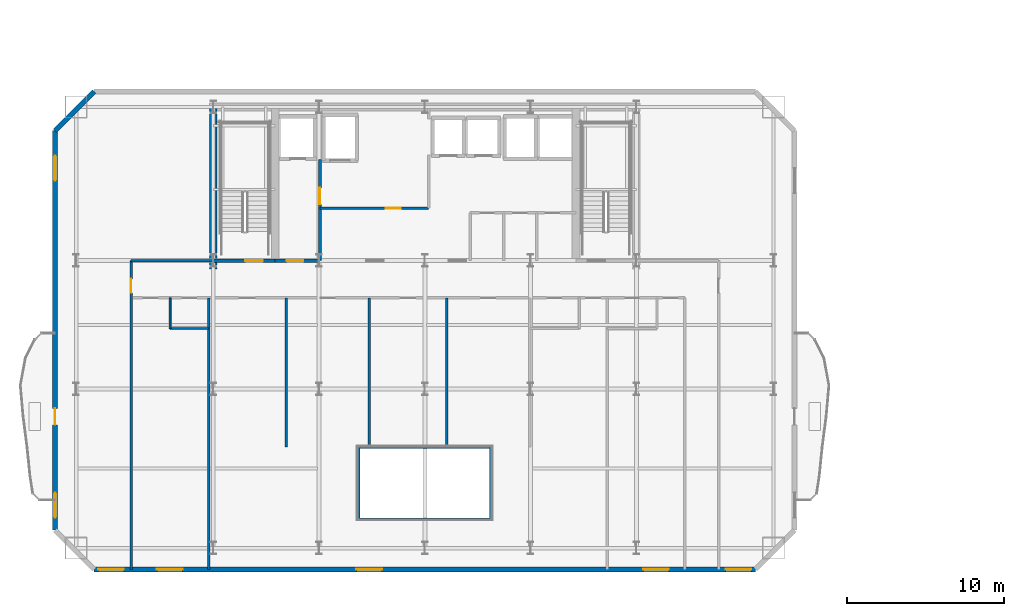
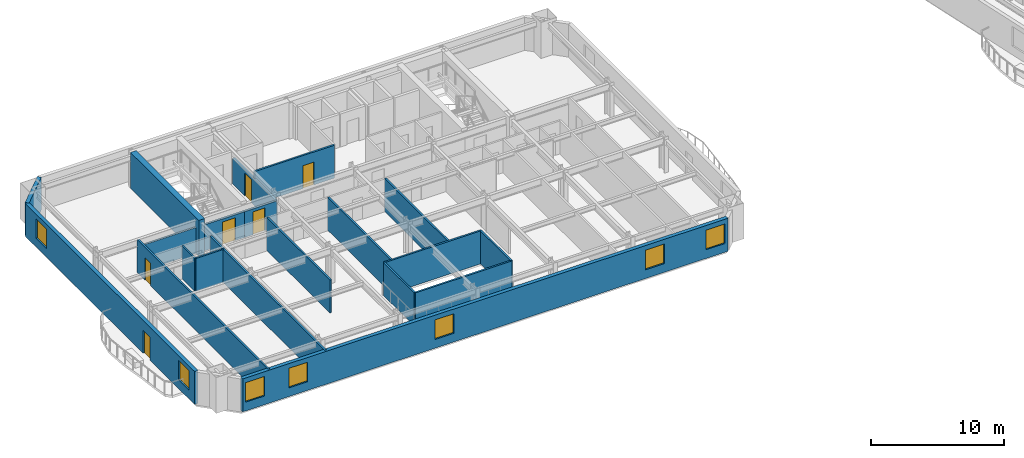
# One storey, part 5 of 14: 20 walls, 7 windows, 6 doors, 13 openings.
"""IFC4 building model written with IfcOpenShell, lengths in metres."""

from ifc_helpers import new_model, si_unit, direction, frame, frame_2d, origin, place, context, subcontext, project, spatial, rectangle, extrude, material, layer, layer_set, type_object, element, fill, save


model = new_model("IFC4")

# Units and contexts
model_context = context("Model", 3, precision=1e-05, world=origin(), true_north=direction((0.0, 1.0)))
body_context = subcontext(model_context, "Body", "Model", "MODEL_VIEW")
ifc_project = project(units=[si_unit("LENGTHUNIT", "METRE"), si_unit("AREAUNIT", "SQUARE_METRE"), si_unit("VOLUMEUNIT", "CUBIC_METRE"), si_unit("PLANEANGLEUNIT", "RADIAN"), si_unit("MASSUNIT", "GRAM", prefix="KILO")], contexts=[model_context])

# Site, building, storey
site_placement = place(None, origin())
site = spatial("IfcSite", under=ifc_project, at=site_placement, CompositionType="ELEMENT")
building_placement = place(site_placement, origin())
building = spatial("IfcBuilding", under=site, at=building_placement, Name="Haevon Station Towers", CompositionType="ELEMENT")
storey_placement = place(building_placement, frame((0.0, 0.0, 106.5)))
storey = spatial("IfcBuildingStorey", under=building, at=storey_placement, Name="L28", CompositionType="ELEMENT", Elevation=106.5)

# Wall, opening, door
ifc_material_1 = material(Name="Gypsum board on steel stud", Category="steel")
ifc_layer_1 = layer(ifc_material_1, 0.199951171875)
ifc_layer_set_1 = layer_set([ifc_layer_1], Name="Gypsum board on steel stud")
wall_type_1 = type_object("IfcWallType", Name="WL-COR200", PredefinedType="PARTITIONING", material=ifc_layer_set_1)
wall_1_placement = place(storey_placement, frame((24.0, 38.199951171875, 0.0), z_axis=(0.0, 0.0, 1.0), x_axis=(1.0, 0.0, 0.0)))
wall_1 = element("IfcWall", 1, at=wall_1_placement, inside=storey, type_object=wall_type_1, Name="WL-ST-ST1-L28", PredefinedType="PARTITIONING", context=body_context, shape_type="SweptSolid", body=[
    extrude(rectangle(XDim=3.949951171875, YDim=0.199951171875, at=frame_2d((1.97509765625, 0.0))), origin(), (0.0, 0.0, 1.0), 2.3798828125),
])
opening_1_placement = place(wall_1_placement, frame((2.050048828125, 0.0, 0.0)))
opening_1 = element("IfcOpeningElement", 2, at=opening_1_placement, cuts=wall_1, Name="Opening DR-ST-ST1-L28", PredefinedType="OPENING", context=body_context, shape_type="SweptSolid", body=[
    extrude(rectangle(XDim=1.1201171875, YDim=2.10009765625, at=frame_2d((0.56005859375, 1.050048828125))), frame((0.0, 0.10986328125, 0.0), z_axis=(0.0, -1.0, 0.0), x_axis=(1.0, 0.0, 0.0)), (0.0, 0.0, 1.0), 0.219970703125),
])
ifc_material_2 = material(Name="Engineered oak timber", Category="wood")
door_type_1 = type_object("IfcDoorType", Name="DR-ST-1120", OperationType="NOTDEFINED", PredefinedType="DOOR", material=ifc_material_2)
door_1_placement = place(opening_1_placement, origin())
door_1 = element("IfcDoor", 3, at=door_1_placement, inside=storey, type_object=door_type_1, Name="L28 Escape Stair ST1 Fire Door", OperationType="SINGLE_SWING_LEFT", OverallHeight=2.10009765625, OverallWidth=1.1201171875, PredefinedType="DOOR", context=body_context, shape_type="SweptSolid", body=[
    extrude(rectangle(XDim=1.1201171875, YDim=2.10009765625, at=frame_2d((0.56005859375, 1.050048828125))), frame((0.0, 0.02490234375, 0.0), z_axis=(0.0, -1.0, 0.0), x_axis=(1.0, 0.0, 0.0)), (0.0, 0.0, 1.0), 0.050048828125),
])
fill(opening_1, door_1)

wall_2_placement = place(storey_placement, frame((30.800048828125, 38.199951171875, 0.0), z_axis=(0.0, 0.0, 1.0), x_axis=(0.0, 1.0, 0.0)))
wall_2 = element("IfcWall", 4, at=wall_2_placement, inside=storey, type_object=wall_type_1, Name="WL-T1FFL-L28-E", PredefinedType="PARTITIONING", context=body_context, shape_type="SweptSolid", body=[
    extrude(rectangle(XDim=6.449951171875, YDim=0.199951171875, at=frame_2d((3.22509765625, 0.0))), origin(), (0.0, 0.0, 1.0), 2.3798828125),
])
opening_2_placement = place(wall_2_placement, frame((3.590087890625, 0.0, 0.0)))
opening_2 = element("IfcOpeningElement", 5, at=opening_2_placement, cuts=wall_2, Name="Opening DR-T1FFL-L28-E", PredefinedType="OPENING", context=body_context, shape_type="SweptSolid", body=[
    extrude(rectangle(XDim=1.050048828125, YDim=2.10009765625, at=frame_2d((0.52490234375, 1.050048828125))), frame((0.0, 0.10986328125, 0.0), z_axis=(0.0, -1.0, 0.0), x_axis=(1.0, 0.0, 0.0)), (0.0, 0.0, 1.0), 0.219970703125),
])
door_type_2 = type_object("IfcDoorType", Name="DR-FD60-1050", OperationType="NOTDEFINED", PredefinedType="DOOR", material=ifc_material_2)
door_2_placement = place(opening_2_placement, origin())
door_2 = element("IfcDoor", 6, at=door_2_placement, inside=storey, type_object=door_type_2, Name="L28 Tower 1 Firefighting Lift Lobby Door E", OperationType="SINGLE_SWING_LEFT", OverallHeight=2.10009765625, OverallWidth=1.050048828125, PredefinedType="DOOR", context=body_context, shape_type="SweptSolid", body=[
    extrude(rectangle(XDim=1.050048828125, YDim=2.10009765625, at=frame_2d((0.52490234375, 1.050048828125))), frame((0.0, 0.02490234375, 0.0), z_axis=(0.0, -1.0, 0.0), x_axis=(1.0, 0.0, 0.0)), (0.0, 0.0, 1.0), 0.050048828125),
])
fill(opening_2, door_2)

wall_3_placement = place(storey_placement, frame((27.949951171875, 38.199951171875, 0.0), z_axis=(0.0, 0.0, 1.0), x_axis=(1.0, 0.0, 0.0)))
wall_3 = element("IfcWall", 7, at=wall_3_placement, inside=storey, type_object=wall_type_1, Name="WL-T1FFL-L28-S", PredefinedType="PARTITIONING", context=body_context, shape_type="SweptSolid", body=[
    extrude(rectangle(XDim=2.85009765625, YDim=0.199951171875, at=frame_2d((1.425048828125, 0.0))), origin(), (0.0, 0.0, 1.0), 2.3798828125),
])
opening_3_placement = place(wall_3_placement, frame((0.75, 0.0, 0.0)))
opening_3 = element("IfcOpeningElement", 8, at=opening_3_placement, cuts=wall_3, Name="Opening DR-T1FFL-L28-S", PredefinedType="OPENING", context=body_context, shape_type="SweptSolid", body=[
    extrude(rectangle(XDim=1.050048828125, YDim=2.10009765625, at=frame_2d((0.52490234375, 1.050048828125))), frame((0.0, 0.10986328125, 0.0), z_axis=(0.0, -1.0, 0.0), x_axis=(1.0, 0.0, 0.0)), (0.0, 0.0, 1.0), 0.219970703125),
])
door_3_placement = place(opening_3_placement, origin())
door_3 = element("IfcDoor", 9, at=door_3_placement, inside=storey, type_object=door_type_2, Name="L28 Tower 1 Firefighting Lift Lobby Door S", OperationType="SINGLE_SWING_RIGHT", OverallHeight=2.10009765625, OverallWidth=1.050048828125, PredefinedType="DOOR", context=body_context, shape_type="SweptSolid", body=[
    extrude(rectangle(XDim=1.050048828125, YDim=2.10009765625, at=frame_2d((0.52490234375, 1.050048828125))), frame((0.0, 0.02490234375, 0.0), z_axis=(0.0, -1.0, 0.0), x_axis=(1.0, 0.0, 0.0)), (0.0, 0.0, 1.0), 0.050048828125),
])
fill(opening_3, door_3)

# Wall
ifc_material_3 = material(Name="Concrete C60/75", Category="concrete")
ifc_layer_2 = layer(ifc_material_3, 0.5)
ifc_layer_set_2 = layer_set([ifc_layer_2], Name="Concrete C60/75")
wall_type_2 = type_object("IfcWallType", Name="WL-CR500", PredefinedType="SHEAR", material=ifc_layer_set_2)
wall_4_placement = place(storey_placement, frame((24.0, 37.679931640625, 0.0), z_axis=(0.0, 0.0, 1.0), x_axis=(0.0, 1.0, 0.0)))
element("IfcWall", 10, at=wall_4_placement, inside=storey, type_object=wall_type_2, Name="WL-T1CR-L28-W", PredefinedType="SHEAR", context=body_context, shape_type="SweptSolid", body=[
    extrude(rectangle(XDim=10.320068359375, YDim=0.5, at=frame_2d((5.16015625, 0.0))), origin(), (0.0, 0.0, 1.0), 3.300048828125),
])

# Wall, openings, windows
ifc_material_4 = material(Name="Precast concrete C45/55", Category="concrete")
ifc_layer_3 = layer(ifc_material_4, 0.320068359375)
ifc_layer_set_3 = layer_set([ifc_layer_3], Name="Precast concrete C45/55")
wall_type_3 = type_object("IfcWallType", Name="WL-EXT-PIER320", PredefinedType="SOLIDWALL", material=ifc_layer_set_3)
wall_5_placement = place(storey_placement, frame((58.60009765625, 18.5, 0.0), z_axis=(0.0, 0.0, 1.0), x_axis=(-1.0, 0.0, 0.0)))
wall_5 = element("IfcWall", 11, at=wall_5_placement, inside=storey, type_object=wall_type_3, Name="WL-T1-L28-S", PredefinedType="SOLIDWALL", context=body_context, shape_type="SweptSolid", body=[
    extrude(rectangle(XDim=42.2001953125, YDim=0.320068359375, at=frame_2d((21.10009765625, 0.0))), origin(), (0.0, 0.0, 1.0), 3.030029296875),
])
opening_4_placement = place(wall_5_placement, frame((40.300048828125, 0.0, 0.800048828125)))
opening_4 = element("IfcOpeningElement", 12, at=opening_4_placement, cuts=wall_5, Name="Opening WN-P165", PredefinedType="OPENING", context=body_context, shape_type="SweptSolid", body=[
    extrude(rectangle(XDim=1.64990234375, YDim=1.800048828125, at=frame_2d((0.824951171875, 0.89990234375))), frame((0.0, 0.169921875, 0.0), z_axis=(0.0, -1.0, 0.0), x_axis=(1.0, 0.0, 0.0)), (0.0, 0.0, 1.0), 0.340087890625),
])
opening_5_placement = place(wall_5_placement, frame((0.25, 0.0, 0.800048828125)))
opening_5 = element("IfcOpeningElement", 13, at=opening_5_placement, cuts=wall_5, Name="Opening WN-P165", PredefinedType="OPENING", context=body_context, shape_type="SweptSolid", body=[
    extrude(rectangle(XDim=1.64990234375, YDim=1.800048828125, at=frame_2d((0.824951171875, 0.89990234375))), frame((0.0, 0.169921875, 0.0), z_axis=(0.0, -1.0, 0.0), x_axis=(1.0, 0.0, 0.0)), (0.0, 0.0, 1.0), 0.340087890625),
])
opening_6_placement = place(wall_5_placement, frame((36.550537109375, 0.0, 0.800048828125)))
opening_6 = element("IfcOpeningElement", 14, at=opening_6_placement, cuts=wall_5, Name="Opening WN-P165", PredefinedType="OPENING", context=body_context, shape_type="SweptSolid", body=[
    extrude(rectangle(XDim=1.64990234375, YDim=1.800048828125, at=frame_2d((0.824951171875, 0.89990234375))), frame((0.0, 0.169921875, 0.0), z_axis=(0.0, -1.0, 0.0), x_axis=(1.0, 0.0, 0.0)), (0.0, 0.0, 1.0), 0.340087890625),
])
opening_7_placement = place(wall_5_placement, frame((23.824462890625, 0.0, 0.800048828125)))
opening_7 = element("IfcOpeningElement", 15, at=opening_7_placement, cuts=wall_5, Name="Opening WN-P165", PredefinedType="OPENING", context=body_context, shape_type="SweptSolid", body=[
    extrude(rectangle(XDim=1.64990234375, YDim=1.800048828125, at=frame_2d((0.824951171875, 0.89990234375))), frame((0.0, 0.169921875, 0.0), z_axis=(0.0, -1.0, 0.0), x_axis=(1.0, 0.0, 0.0)), (0.0, 0.0, 1.0), 0.340087890625),
])
opening_8_placement = place(wall_5_placement, frame((5.5146484375, 0.0, 0.800048828125)))
opening_8 = element("IfcOpeningElement", 16, at=opening_8_placement, cuts=wall_5, Name="Opening WN-P165", PredefinedType="OPENING", context=body_context, shape_type="SweptSolid", body=[
    extrude(rectangle(XDim=1.64990234375, YDim=1.800048828125, at=frame_2d((0.824951171875, 0.89990234375))), frame((0.0, 0.169921875, 0.0), z_axis=(0.0, -1.0, 0.0), x_axis=(1.0, 0.0, 0.0)), (0.0, 0.0, 1.0), 0.340087890625),
])
ifc_material_5 = material(Name="Low-E triple glazing in thermally broken aluminium", Category="aluminium")
window_type_1 = type_object("IfcWindowType", Name="WN-P165", PartitioningType="SINGLE_PANEL", PredefinedType="WINDOW", material=ifc_material_5)
window_1_placement = place(opening_4_placement, origin())
window_1 = element("IfcWindow", 17, at=window_1_placement, inside=storey, type_object=window_type_1, Name="WN-T1-L28-S01", OverallHeight=1.800048828125, OverallWidth=1.64990234375, PartitioningType="SINGLE_PANEL", PredefinedType="WINDOW", context=body_context, shape_type="SweptSolid", body=[
    extrude(rectangle(XDim=1.64990234375, YDim=1.800048828125, at=frame_2d((0.824951171875, 0.89990234375))), frame((0.0, 0.030029296875, 0.0), z_axis=(0.0, -1.0, 0.0), x_axis=(1.0, 0.0, 0.0)), (0.0, 0.0, 1.0), 0.06005859375),
])
fill(opening_4, window_1)
window_2_placement = place(opening_5_placement, origin())
window_2 = element("IfcWindow", 18, at=window_2_placement, inside=storey, type_object=window_type_1, Name="WN-T1-L28-S02", OverallHeight=1.800048828125, OverallWidth=1.64990234375, PartitioningType="SINGLE_PANEL", PredefinedType="WINDOW", context=body_context, shape_type="SweptSolid", body=[
    extrude(rectangle(XDim=1.64990234375, YDim=1.800048828125, at=frame_2d((0.824951171875, 0.89990234375))), frame((0.0, 0.030029296875, 0.0), z_axis=(0.0, -1.0, 0.0), x_axis=(1.0, 0.0, 0.0)), (0.0, 0.0, 1.0), 0.06005859375),
])
fill(opening_5, window_2)
window_3_placement = place(opening_6_placement, origin())
window_3 = element("IfcWindow", 19, at=window_3_placement, inside=storey, type_object=window_type_1, Name="WN-T1-L28-S03", OverallHeight=1.800048828125, OverallWidth=1.64990234375, PartitioningType="SINGLE_PANEL", PredefinedType="WINDOW", context=body_context, shape_type="SweptSolid", body=[
    extrude(rectangle(XDim=1.64990234375, YDim=1.800048828125, at=frame_2d((0.824951171875, 0.89990234375))), frame((0.0, 0.030029296875, 0.0), z_axis=(0.0, -1.0, 0.0), x_axis=(1.0, 0.0, 0.0)), (0.0, 0.0, 1.0), 0.06005859375),
])
fill(opening_6, window_3)
window_4_placement = place(opening_7_placement, origin())
window_4 = element("IfcWindow", 20, at=window_4_placement, inside=storey, type_object=window_type_1, Name="WN-T1-L28-S04", OverallHeight=1.800048828125, OverallWidth=1.64990234375, PartitioningType="SINGLE_PANEL", PredefinedType="WINDOW", context=body_context, shape_type="SweptSolid", body=[
    extrude(rectangle(XDim=1.64990234375, YDim=1.800048828125, at=frame_2d((0.824951171875, 0.89990234375))), frame((0.0, 0.030029296875, 0.0), z_axis=(0.0, -1.0, 0.0), x_axis=(1.0, 0.0, 0.0)), (0.0, 0.0, 1.0), 0.06005859375),
])
fill(opening_7, window_4)
window_5_placement = place(opening_8_placement, origin())
window_5 = element("IfcWindow", 21, at=window_5_placement, inside=storey, type_object=window_type_1, Name="WN-T1-L28-S05", OverallHeight=1.800048828125, OverallWidth=1.64990234375, PartitioningType="SINGLE_PANEL", PredefinedType="WINDOW", context=body_context, shape_type="SweptSolid", body=[
    extrude(rectangle(XDim=1.64990234375, YDim=1.800048828125, at=frame_2d((0.824951171875, 0.89990234375))), frame((0.0, 0.030029296875, 0.0), z_axis=(0.0, -1.0, 0.0), x_axis=(1.0, 0.0, 0.0)), (0.0, 0.0, 1.0), 0.06005859375),
])
fill(opening_8, window_5)

# Wall, openings, door, windows
wall_6_placement = place(storey_placement, frame((13.89990234375, 21.0, 0.0), z_axis=(0.0, 0.0, 1.0), x_axis=(0.0, 1.0, 0.0)))
wall_6 = element("IfcWall", 22, at=wall_6_placement, inside=storey, type_object=wall_type_3, Name="WL-T1-L28-W", PredefinedType="SOLIDWALL", context=body_context, shape_type="SweptSolid", body=[
    extrude(rectangle(XDim=25.5, YDim=0.320068359375, at=frame_2d((12.75, 0.0))), origin(), (0.0, 0.0, 1.0), 3.030029296875),
])
opening_9_placement = place(wall_6_placement, frame((6.72509765625, 0.0, 0.0)))
opening_9 = element("IfcOpeningElement", 23, at=opening_9_placement, cuts=wall_6, Name="Opening DR-T1-SCAL-L28-W", PredefinedType="OPENING", context=body_context, shape_type="SweptSolid", body=[
    extrude(rectangle(XDim=1.050048828125, YDim=2.10009765625, at=frame_2d((0.52490234375, 1.050048828125))), frame((0.0, 0.169921875, 0.0), z_axis=(0.0, -1.0, 0.0), x_axis=(1.0, 0.0, 0.0)), (0.0, 0.0, 1.0), 0.340087890625),
])
opening_10_placement = place(wall_6_placement, frame((0.800048828125, 0.0, 0.800048828125)))
opening_10 = element("IfcOpeningElement", 24, at=opening_10_placement, cuts=wall_6, Name="Opening WN-END160", PredefinedType="OPENING", context=body_context, shape_type="SweptSolid", body=[
    extrude(rectangle(XDim=1.60009765625, YDim=1.800048828125, at=frame_2d((0.800048828125, 0.89990234375))), frame((0.0, 0.169921875, 0.0), z_axis=(0.0, -1.0, 0.0), x_axis=(1.0, 0.0, 0.0)), (0.0, 0.0, 1.0), 0.340087890625),
])
opening_11_placement = place(wall_6_placement, frame((22.3037109375, 0.0, 0.800048828125)))
opening_11 = element("IfcOpeningElement", 25, at=opening_11_placement, cuts=wall_6, Name="Opening WN-END160", PredefinedType="OPENING", context=body_context, shape_type="SweptSolid", body=[
    extrude(rectangle(XDim=1.60009765625, YDim=1.800048828125, at=frame_2d((0.800048828125, 0.89990234375))), frame((0.0, 0.169921875, 0.0), z_axis=(0.0, -1.0, 0.0), x_axis=(1.0, 0.0, 0.0)), (0.0, 0.0, 1.0), 0.340087890625),
])
ifc_material_6 = material(Name="Thermally broken anodised aluminium and laminated safety glass", Category="aluminium")
door_type_3 = type_object("IfcDoorType", Name="DR-BALC-1050", OperationType="NOTDEFINED", PredefinedType="DOOR", material=ifc_material_6)
door_4_placement = place(opening_9_placement, origin())
door_4 = element("IfcDoor", 26, at=door_4_placement, inside=storey, type_object=door_type_3, Name="Tower 1 L28 West Scalloped Balcony Door", OperationType="SINGLE_SWING_RIGHT", OverallHeight=2.10009765625, OverallWidth=1.050048828125, PredefinedType="DOOR", context=body_context, shape_type="SweptSolid", body=[
    extrude(rectangle(XDim=1.050048828125, YDim=2.10009765625, at=frame_2d((0.52490234375, 1.050048828125))), frame((0.0, 0.02490234375, 0.0), z_axis=(0.0, -1.0, 0.0), x_axis=(1.0, 0.0, 0.0)), (0.0, 0.0, 1.0), 0.050048828125),
])
fill(opening_9, door_4)
window_type_2 = type_object("IfcWindowType", Name="WN-END160", PartitioningType="SINGLE_PANEL", PredefinedType="WINDOW", material=ifc_material_5)
window_6_placement = place(opening_10_placement, origin())
window_6 = element("IfcWindow", 27, at=window_6_placement, inside=storey, type_object=window_type_2, Name="WN-T1-L28-W01", OverallHeight=1.800048828125, OverallWidth=1.60009765625, PartitioningType="SINGLE_PANEL", PredefinedType="WINDOW", context=body_context, shape_type="SweptSolid", body=[
    extrude(rectangle(XDim=1.60009765625, YDim=1.800048828125, at=frame_2d((0.800048828125, 0.89990234375))), frame((0.0, 0.030029296875, 0.0), z_axis=(0.0, -1.0, 0.0), x_axis=(1.0, 0.0, 0.0)), (0.0, 0.0, 1.0), 0.06005859375),
])
fill(opening_10, window_6)
window_7_placement = place(opening_11_placement, origin())
window_7 = element("IfcWindow", 28, at=window_7_placement, inside=storey, type_object=window_type_2, Name="WN-T1-L28-W02", OverallHeight=1.800048828125, OverallWidth=1.60009765625, PartitioningType="SINGLE_PANEL", PredefinedType="WINDOW", context=body_context, shape_type="SweptSolid", body=[
    extrude(rectangle(XDim=1.60009765625, YDim=1.800048828125, at=frame_2d((0.800048828125, 0.89990234375))), frame((0.0, 0.030029296875, 0.0), z_axis=(0.0, -1.0, 0.0), x_axis=(1.0, 0.0, 0.0)), (0.0, 0.0, 1.0), 0.06005859375),
])
fill(opening_11, window_7)

# Walls
wall_7_placement = place(storey_placement, frame((13.89990234375, 46.5, 0.0), z_axis=(0.0, 0.0, 1.0), x_axis=(0.707106781187, 0.707106781187, 0.0)))
element("IfcWall", 29, at=wall_7_placement, inside=storey, type_object=wall_type_3, Name="WL-T1-L28-NWC", PredefinedType="SOLIDWALL", context=body_context, shape_type="SweptSolid", body=[
    extrude(rectangle(XDim=3.53564453125, YDim=0.320068359375, at=frame_2d((1.767822265625, 0.0))), origin(), (0.0, 0.0, 1.0), 3.030029296875),
])
ifc_layer_4 = layer(ifc_material_1, 0.125)
ifc_layer_set_4 = layer_set([ifc_layer_4], Name="Gypsum board on steel stud")
wall_type_4 = type_object("IfcWallType", Name="WL-PRT125", PredefinedType="PARTITIONING", material=ifc_layer_set_4)
wall_8_placement = place(storey_placement, frame((21.2490234375, 33.8701171875, 0.0), z_axis=(0.0, 0.0, 1.0), x_axis=(0.0, 1.0, 0.0)))
element("IfcWall", 30, at=wall_8_placement, inside=storey, type_object=wall_type_4, Name="WL-T1PT-L28-11", PredefinedType="PARTITIONING", context=body_context, shape_type="SweptSolid", body=[
    extrude(rectangle(XDim=1.949951171875, YDim=0.125, at=frame_2d((0.97509765625, 0.0))), origin(), (0.0, 0.0, 1.0), 3.030029296875),
])
ifc_layer_5 = layer(ifc_material_1, 0.139892578125)
ifc_layer_set_5 = layer_set([ifc_layer_5], Name="Gypsum board on steel stud")
wall_type_5 = type_object("IfcWallType", Name="WL-PRT140", PredefinedType="PARTITIONING", material=ifc_layer_set_5)
wall_9_placement = place(storey_placement, frame((21.2490234375, 33.8701171875, 0.0), z_axis=(0.0, 0.0, 1.0), x_axis=(1.0, 0.0, 0.0)))
element("IfcWall", 31, at=wall_9_placement, inside=storey, type_object=wall_type_5, Name="WL-T1PT-L28-10", PredefinedType="PARTITIONING", context=body_context, shape_type="SweptSolid", body=[
    extrude(rectangle(XDim=2.449951171875, YDim=0.139892578125, at=frame_2d((1.22509765625, 0.0))), origin(), (0.0, 0.0, 1.0), 3.030029296875),
])

# Wall, opening, door
ifc_layer_6 = layer(ifc_material_1, 0.159912109375)
ifc_layer_set_6 = layer_set([ifc_layer_6], Name="Gypsum board on steel stud")
wall_type_6 = type_object("IfcWallType", Name="WL-PRT160", PredefinedType="PARTITIONING", material=ifc_layer_set_6)
wall_10_placement = place(storey_placement, frame((30.800048828125, 41.550048828125, 0.0), z_axis=(0.0, 0.0, 1.0), x_axis=(1.0, 0.0, 0.0)))
wall_10 = element("IfcWall", 32, at=wall_10_placement, inside=storey, type_object=wall_type_6, Name="WL-T1CW-L28-01", PredefinedType="PARTITIONING", context=body_context, shape_type="SweptSolid", body=[
    extrude(rectangle(XDim=6.949951171875, YDim=0.159912109375, at=frame_2d((3.47509765625, 0.0))), origin(), (0.0, 0.0, 1.0), 3.030029296875),
])
opening_12_placement = place(wall_10_placement, frame((4.199951171875, 0.0, 0.0)))
opening_12 = element("IfcOpeningElement", 33, at=opening_12_placement, cuts=wall_10, Name="Opening DR-WL-T1CW-L28-01-1", PredefinedType="OPENING", context=body_context, shape_type="SweptSolid", body=[
    extrude(rectangle(XDim=0.949951171875, YDim=2.10009765625, at=frame_2d((0.47509765625, 1.050048828125))), frame((0.0, 0.08984375, 0.0), z_axis=(0.0, -1.0, 0.0), x_axis=(1.0, 0.0, 0.0)), (0.0, 0.0, 1.0), 0.179931640625),
])
door_type_4 = type_object("IfcDoorType", Name="DR-FD60-950", OperationType="NOTDEFINED", PredefinedType="DOOR", material=ifc_material_2)
door_5_placement = place(opening_12_placement, origin())
door_5 = element("IfcDoor", 34, at=door_5_placement, inside=storey, type_object=door_type_4, Name="L28 Tower 1 Core Room Door 1-1", OperationType="SINGLE_SWING_LEFT", OverallHeight=2.10009765625, OverallWidth=0.949951171875, PredefinedType="DOOR", context=body_context, shape_type="SweptSolid", body=[
    extrude(rectangle(XDim=0.949951171875, YDim=2.10009765625, at=frame_2d((0.47509765625, 1.050048828125))), frame((0.0, 0.02490234375, 0.0), z_axis=(0.0, -1.0, 0.0), x_axis=(1.0, 0.0, 0.0)), (0.0, 0.0, 1.0), 0.050048828125),
])
fill(opening_12, door_5)

# Wall
wall_11_placement = place(storey_placement, frame((18.75, 38.199951171875, 0.0), z_axis=(0.0, 0.0, 1.0), x_axis=(1.0, 0.0, 0.0)))
element("IfcWall", 35, at=wall_11_placement, inside=storey, type_object=wall_type_6, Name="WL-T1PT-L28-02", PredefinedType="PARTITIONING", context=body_context, shape_type="SweptSolid", body=[
    extrude(rectangle(XDim=5.25, YDim=0.159912109375, at=frame_2d((2.625, 0.0))), origin(), (0.0, 0.0, 1.0), 2.3798828125),
])

# Wall, opening, door
wall_12_placement = place(storey_placement, frame((18.75, 18.5, 0.0), z_axis=(0.0, 0.0, 1.0), x_axis=(0.0, 1.0, 0.0)))
wall_12 = element("IfcWall", 36, at=wall_12_placement, inside=storey, type_object=wall_type_6, Name="WL-T1PT-L28-04", PredefinedType="PARTITIONING", context=body_context, shape_type="SweptSolid", body=[
    extrude(rectangle(XDim=19.699951171875, YDim=0.159912109375, at=frame_2d((9.85009765625, 0.0))), origin(), (0.0, 0.0, 1.0), 3.030029296875),
])
opening_13_placement = place(wall_12_placement, frame((17.639892578125, 0.0, 0.0)))
opening_13 = element("IfcOpeningElement", 37, at=opening_13_placement, cuts=wall_12, Name="Opening DR-WL-T1PT-L28-04-01", PredefinedType="OPENING", context=body_context, shape_type="SweptSolid", body=[
    extrude(rectangle(XDim=0.89990234375, YDim=2.050048828125, at=frame_2d((0.449951171875, 1.02490234375))), frame((0.0, 0.08984375, 0.0), z_axis=(0.0, -1.0, 0.0), x_axis=(1.0, 0.0, 0.0)), (0.0, 0.0, 1.0), 0.179931640625),
])
door_type_5 = type_object("IfcDoorType", Name="DR-INT-900", OperationType="NOTDEFINED", PredefinedType="DOOR", material=ifc_material_2)
door_6_placement = place(opening_13_placement, origin())
door_6 = element("IfcDoor", 38, at=door_6_placement, inside=storey, type_object=door_type_5, Name="L28 Tower 1 Room Door 4-1", OperationType="SINGLE_SWING_LEFT", OverallHeight=2.050048828125, OverallWidth=0.89990234375, PredefinedType="DOOR", context=body_context, shape_type="SweptSolid", body=[
    extrude(rectangle(XDim=0.89990234375, YDim=2.050048828125, at=frame_2d((0.449951171875, 1.02490234375))), frame((0.0, 0.02490234375, 0.0), z_axis=(0.0, -1.0, 0.0), x_axis=(1.0, 0.0, 0.0)), (0.0, 0.0, 1.0), 0.050048828125),
])
fill(opening_13, door_6)

# Walls
for number, where, z_axis, x_axis, name in (
    (39, (33.300048828125, 21.699951171875, 0.0), (0.0, 0.0, 1.0), (1.0, 0.0, 0.0), "WL-T1PT-L28-06"),
    (40, (33.300048828125, 26.300048828125, 0.0), (0.0, 0.0, 1.0), (1.0, 0.0, 0.0), "WL-T1PT-L28-07"),
):
    element("IfcWall", number, at=place(storey_placement, frame(where, z_axis=z_axis, x_axis=x_axis)), inside=storey, type_object=wall_type_6, Name=name, PredefinedType="PARTITIONING", context=body_context, shape_type="SweptSolid", body=[
        extrude(rectangle(XDim=8.39990234375, YDim=0.159912109375, at=frame_2d((4.199951171875, 0.0))), origin(), (0.0, 0.0, 1.0), 3.030029296875),
    ])
for number, where, z_axis, x_axis, name in (
    (41, (33.300048828125, 21.699951171875, 0.0), (0.0, 0.0, 1.0), (0.0, 1.0, 0.0), "WL-T1PT-L28-08"),
    (42, (41.699951171875, 21.699951171875, 0.0), (0.0, 0.0, 1.0), (0.0, 1.0, 0.0), "WL-T1PT-L28-09"),
):
    element("IfcWall", number, at=place(storey_placement, frame(where, z_axis=z_axis, x_axis=x_axis)), inside=storey, type_object=wall_type_6, Name=name, PredefinedType="PARTITIONING", context=body_context, shape_type="SweptSolid", body=[
        extrude(rectangle(XDim=4.60009765625, YDim=0.159912109375, at=frame_2d((2.300048828125, 0.0))), origin(), (0.0, 0.0, 1.0), 3.030029296875),
    ])
wall_13_placement = place(storey_placement, frame((23.698974609375, 18.5, 0.0), z_axis=(0.0, 0.0, 1.0), x_axis=(0.0, 1.0, 0.0)))
element("IfcWall", 43, at=wall_13_placement, inside=storey, type_object=wall_type_6, Name="WL-T1PT-L28-12", PredefinedType="PARTITIONING", context=body_context, shape_type="SweptSolid", body=[
    extrude(rectangle(XDim=17.320068359375, YDim=0.159912109375, at=frame_2d((8.66015625, 0.0))), origin(), (0.0, 0.0, 1.0), 3.030029296875),
])
for number, where, z_axis, x_axis, name in (
    (44, (28.64794921875, 26.300048828125, 0.0), (0.0, 0.0, 1.0), (0.0, 1.0, 0.0), "WL-T1PT-L28-13"),
    (45, (33.950439453125, 26.300048828125, 0.0), (0.0, 0.0, 1.0), (0.0, 1.0, 0.0), "WL-T1PT-L28-14"),
    (46, (38.8994140625, 26.300048828125, 0.0), (0.0, 0.0, 1.0), (0.0, 1.0, 0.0), "WL-T1PT-L28-16"),
):
    element("IfcWall", number, at=place(storey_placement, frame(where, z_axis=z_axis, x_axis=x_axis)), inside=storey, type_object=wall_type_6, Name=name, PredefinedType="PARTITIONING", context=body_context, shape_type="SweptSolid", body=[
        extrude(rectangle(XDim=9.52001953125, YDim=0.159912109375, at=frame_2d((4.760009765625, 0.0))), origin(), (0.0, 0.0, 1.0), 3.030029296875),
    ])

save(model, "model.ifc")
